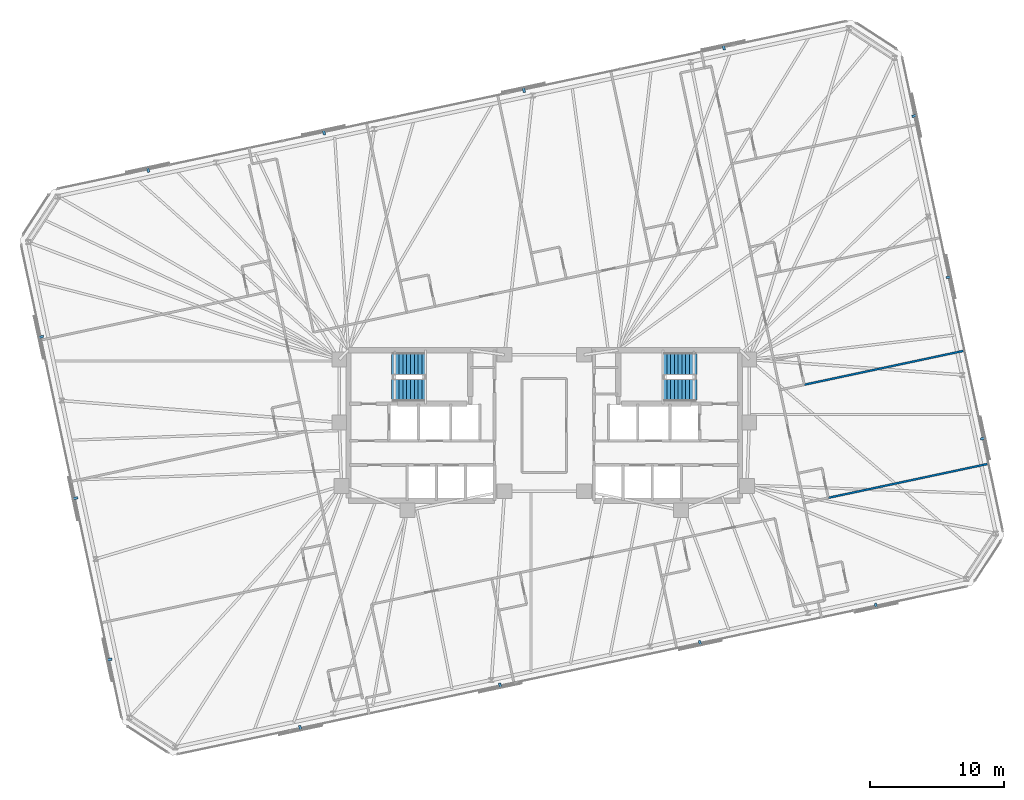
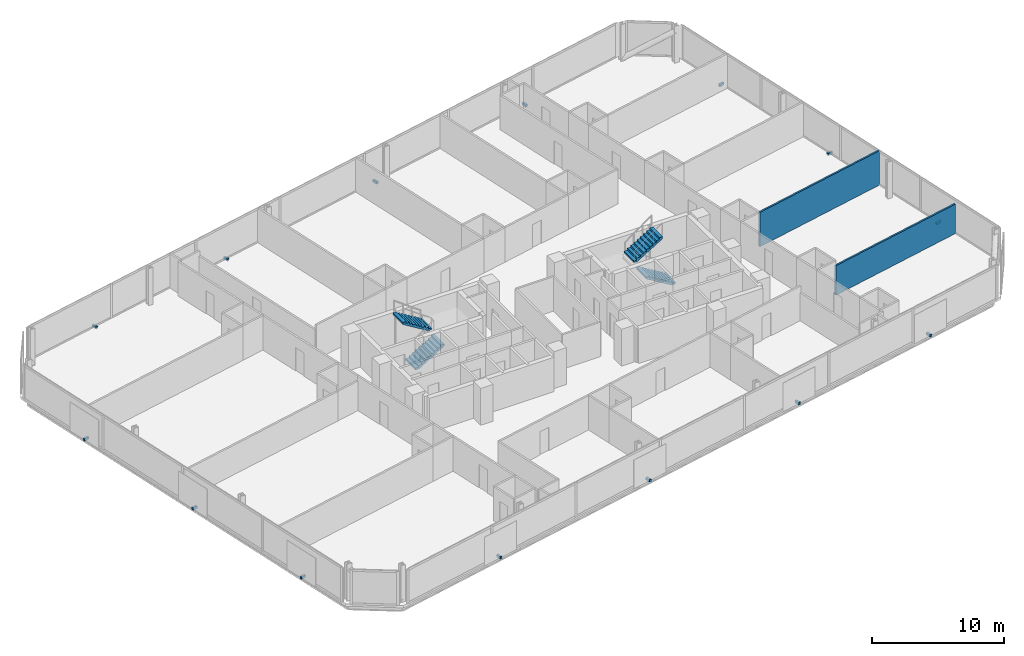
# One storey, part 18 of 19: 14 discrete accessories, 4 stair flights, 2 walls, 2 elements without a shape of their own.
"""IFC4 building model written with IfcOpenShell, lengths in metres."""

from ifc_helpers import new_model, si_unit, direction, frame, frame_2d, origin, origin_2d, place, context, subcontext, project, spatial, polyline, rectangle, outline, extrude, material, layer, layer_set, type_object, element, aggregate, save


model = new_model("IFC4")

# Units and contexts
model_context = context("Model", 3, precision=1e-05, world=origin(), true_north=direction((0.0, 1.0)))
body_context = subcontext(model_context, "Body", "Model", "MODEL_VIEW")
ifc_project = project(units=[si_unit("LENGTHUNIT", "METRE"), si_unit("AREAUNIT", "SQUARE_METRE"), si_unit("VOLUMEUNIT", "CUBIC_METRE"), si_unit("PLANEANGLEUNIT", "RADIAN"), si_unit("MASSUNIT", "GRAM", prefix="KILO")], contexts=[model_context])

# Site, building, storey
site_placement = place(None, origin())
site = spatial("IfcSite", under=ifc_project, at=site_placement, CompositionType="ELEMENT")
building_placement = place(site_placement, origin())
building = spatial("IfcBuilding", under=site, at=building_placement, Name="Menara Jurai Vektor", CompositionType="ELEMENT")
storey_placement = place(building_placement, frame((0.0, 0.0, 154.800048828125)))
storey = spatial("IfcBuildingStorey", under=building, at=storey_placement, Name="L39", CompositionType="ELEMENT", Elevation=154.800048828125)

# Walls
ifc_material_1 = material(Name="Gypsum Fireboard Partition", Category="gypsum")
ifc_layer_1 = layer(ifc_material_1, 0.14990234375)
ifc_layer_set_1 = layer_set([ifc_layer_1], Name="Gypsum Fireboard Partition")
wall_type_1 = type_object("IfcWallType", Name="INT-WALL-CORR-150", PredefinedType="PARTITIONING", material=ifc_layer_set_1)
wall_1_placement = place(storey_placement, frame((19.34130859375, 3.025146484375, 0.0), z_axis=(0.0, 0.0, 1.0), x_axis=(0.97814556055, 0.207921288896, 0.0)))
element("IfcWall", 1, at=wall_1_placement, inside=storey, type_object=wall_type_1, Name="Interior Wall IW-150 L39", PredefinedType="PARTITIONING", context=body_context, shape_type="SweptSolid", body=[
    extrude(rectangle(XDim=12.18701171875, YDim=0.14990234375, at=frame_2d((6.093505859375, 0.0))), origin(), (0.0, 0.0, 1.0), 3.175048828125),
])
ifc_layer_2 = layer(ifc_material_1, 0.14990234375)
ifc_layer_set_2 = layer_set([ifc_layer_2], Name="Gypsum Fireboard Partition")
wall_type_2 = type_object("IfcWallType", Name="INT-WALL-CORR-150-H1", PredefinedType="PARTITIONING", material=ifc_layer_set_2)
wall_2_placement = place(storey_placement, frame((21.12939453125, -5.386962890625, 0.0), z_axis=(0.0, 0.0, 1.0), x_axis=(0.97814556055, 0.207921288896, 0.0)))
element("IfcWall", 2, at=wall_2_placement, inside=storey, type_object=wall_type_2, Name="Interior Wall IW-150 L39", PredefinedType="PARTITIONING", context=body_context, shape_type="SweptSolid", body=[
    extrude(rectangle(XDim=12.18701171875, YDim=0.14990234375, at=frame_2d((6.093505859375, 0.0))), origin(), (0.0, 0.0, 1.0), 2.724853515625),
])

# Stair, stair flights
ifc_material_2 = material(Name="Concrete C40/50", Category="concrete")
stair_type = type_object("IfcStairType", Name="STAIR-DOGLEG-1500", PredefinedType="HALF_TURN_STAIR", material=ifc_material_2)
stair_1_placement = place(storey_placement, origin())
stair_1 = element("IfcStair", 3, at=stair_1_placement, inside=storey, type_object=stair_type, Name="Protected Exit Stair ST1 L39", PredefinedType="HALF_TURN_STAIR")
stair_flight_type = type_object("IfcStairFlightType", Name="STAIR-FLIGHT-1500", PredefinedType="STRAIGHT", material=ifc_material_2)
stair_flight_1_placement = place(storey_placement, frame((-11.35009765625, 2.64990234375, 0.0), z_axis=(0.0, 0.0, 1.0), x_axis=(1.0, 0.0, 0.0)))
stair_flight_1 = element("IfcStairFlight", 4, at=stair_flight_1_placement, type_object=stair_flight_type, Name="ST1 flight 1", NumberOfRisers=10, NumberOfTreads=9, PredefinedType="STRAIGHT", RiserHeight=0.17, TreadLength=0.28, context=body_context, shape_type="SweptSolid", body=[
    extrude(outline(polyline([(0.0, 0.0), (0.0, 0.169921875), (0.280029296875, 0.169921875), (0.280029296875, 0.340087890625), (0.56005859375, 0.340087890625), (0.56005859375, 0.510009765625), (0.840087890625, 0.510009765625), (0.840087890625, 0.679931640625), (1.1201171875, 0.679931640625), (1.1201171875, 0.85009765625), (1.39990234375, 0.85009765625), (1.39990234375, 1.02001953125), (1.679931640625, 1.02001953125), (1.679931640625, 1.18994140625), (1.9599609375, 1.18994140625), (1.9599609375, 1.360107421875), (2.239990234375, 1.360107421875), (2.239990234375, 1.530029296875), (2.52001953125, 1.530029296875), (2.52001953125, 1.699951171875), (2.52001953125, 1.343017578125), (0.30810546875, 0.0), (0.0, 0.0)])), frame((0.0, 0.75, 0.0), z_axis=(0.0, -1.0, 0.0), x_axis=(1.0, 0.0, 0.0)), (0.0, 0.0, 1.0), 1.5),
])
stair_flight_2_placement = place(storey_placement, frame((-8.830078125, 4.550048828125, 1.699951171875), z_axis=(0.0, 0.0, 1.0), x_axis=(-1.0, 0.0, 0.0)))
stair_flight_2 = element("IfcStairFlight", 5, at=stair_flight_2_placement, type_object=stair_flight_type, Name="ST1 flight 2", NumberOfRisers=10, NumberOfTreads=9, PredefinedType="STRAIGHT", RiserHeight=0.17, TreadLength=0.28, context=body_context, shape_type="SweptSolid", body=[
    extrude(outline(polyline([(0.0, 0.0), (0.0, 0.169921875), (0.280029296875, 0.169921875), (0.280029296875, 0.340087890625), (0.56005859375, 0.340087890625), (0.56005859375, 0.510009765625), (0.840087890625, 0.510009765625), (0.840087890625, 0.679931640625), (1.1201171875, 0.679931640625), (1.1201171875, 0.85009765625), (1.39990234375, 0.85009765625), (1.39990234375, 1.02001953125), (1.679931640625, 1.02001953125), (1.679931640625, 1.18994140625), (1.9599609375, 1.18994140625), (1.9599609375, 1.360107421875), (2.239990234375, 1.360107421875), (2.239990234375, 1.530029296875), (2.52001953125, 1.530029296875), (2.52001953125, 1.699951171875), (2.52001953125, 1.343017578125), (0.30810546875, 0.0), (0.0, 0.0)])), frame((0.0, 0.75, 0.0), z_axis=(0.0, -1.0, 0.0), x_axis=(1.0, 0.0, 0.0)), (0.0, 0.0, 1.0), 1.5),
])
aggregate(stair_1, [stair_flight_1, stair_flight_2])

stair_2_placement = place(storey_placement, origin())
stair_2 = element("IfcStair", 6, at=stair_2_placement, inside=storey, type_object=stair_type, Name="Protected Exit Stair ST2 L39", PredefinedType="HALF_TURN_STAIR")
stair_flight_3_placement = place(storey_placement, frame((11.35009765625, 2.64990234375, 0.0), z_axis=(0.0, 0.0, 1.0), x_axis=(-1.0, 0.0, 0.0)))
stair_flight_3 = element("IfcStairFlight", 7, at=stair_flight_3_placement, type_object=stair_flight_type, Name="ST2 flight 1", NumberOfRisers=10, NumberOfTreads=9, PredefinedType="STRAIGHT", RiserHeight=0.17, TreadLength=0.28, context=body_context, shape_type="SweptSolid", body=[
    extrude(outline(polyline([(0.0, 0.0), (0.0, 0.169921875), (0.280029296875, 0.169921875), (0.280029296875, 0.340087890625), (0.56005859375, 0.340087890625), (0.56005859375, 0.510009765625), (0.840087890625, 0.510009765625), (0.840087890625, 0.679931640625), (1.1201171875, 0.679931640625), (1.1201171875, 0.85009765625), (1.39990234375, 0.85009765625), (1.39990234375, 1.02001953125), (1.679931640625, 1.02001953125), (1.679931640625, 1.18994140625), (1.9599609375, 1.18994140625), (1.9599609375, 1.360107421875), (2.239990234375, 1.360107421875), (2.239990234375, 1.530029296875), (2.52001953125, 1.530029296875), (2.52001953125, 1.699951171875), (2.52001953125, 1.343017578125), (0.30810546875, 0.0), (0.0, 0.0)])), frame((0.0, 0.75, 0.0), z_axis=(0.0, -1.0, 0.0), x_axis=(1.0, 0.0, 0.0)), (0.0, 0.0, 1.0), 1.5),
])
stair_flight_4_placement = place(storey_placement, frame((8.830078125, 4.550048828125, 1.699951171875), z_axis=(0.0, 0.0, 1.0), x_axis=(1.0, 0.0, 0.0)))
stair_flight_4 = element("IfcStairFlight", 8, at=stair_flight_4_placement, type_object=stair_flight_type, Name="ST2 flight 2", NumberOfRisers=10, NumberOfTreads=9, PredefinedType="STRAIGHT", RiserHeight=0.17, TreadLength=0.28, context=body_context, shape_type="SweptSolid", body=[
    extrude(outline(polyline([(0.0, 0.0), (0.0, 0.169921875), (0.280029296875, 0.169921875), (0.280029296875, 0.340087890625), (0.56005859375, 0.340087890625), (0.56005859375, 0.510009765625), (0.840087890625, 0.510009765625), (0.840087890625, 0.679931640625), (1.1201171875, 0.679931640625), (1.1201171875, 0.85009765625), (1.39990234375, 0.85009765625), (1.39990234375, 1.02001953125), (1.679931640625, 1.02001953125), (1.679931640625, 1.18994140625), (1.9599609375, 1.18994140625), (1.9599609375, 1.360107421875), (2.239990234375, 1.360107421875), (2.239990234375, 1.530029296875), (2.52001953125, 1.530029296875), (2.52001953125, 1.699951171875), (2.52001953125, 1.343017578125), (0.30810546875, 0.0), (0.0, 0.0)])), frame((0.0, 0.75, 0.0), z_axis=(0.0, -1.0, 0.0), x_axis=(1.0, 0.0, 0.0)), (0.0, 0.0, 1.0), 1.5),
])
aggregate(stair_2, [stair_flight_3, stair_flight_4])

# Discrete accessories
ifc_material_3 = material(Name="Steel S355", Category="steel")
discrete_accessory_type = type_object("IfcDiscreteAccessoryType", Name="ENV-ACC-BRACKET", PredefinedType="BRACKET", material=ifc_material_3)
for number, where, z_axis, x_axis, name in (
    (9, (-18.148193359375, -22.537841796875, -0.1298828125), (0.0, 0.0, 1.0), (0.978147600734, 0.207911690818, 0.0), "Solar Screen Stand-Off Bracket L39-S01"),
    (10, (-3.2802734375, -19.377685546875, -0.1298828125), (0.0, 0.0, 1.0), (0.978147600734, 0.207911690818, 0.0), "Solar Screen Stand-Off Bracket L39-S02"),
    (11, (11.587646484375, -16.21728515625, -0.1298828125), (0.0, 0.0, 1.0), (0.978147600734, 0.207911690818, 0.0), "Solar Screen Stand-Off Bracket L39-S03"),
    (12, (24.67138671875, -13.436279296875, -0.1298828125), (0.0, 0.0, 1.0), (0.978147600734, 0.207911690818, 0.0), "Solar Screen Stand-Off Bracket L39-S04"),
    (13, (32.660400390625, -0.9716796875, -0.1298828125), (0.0, 0.0, 1.0), (-0.207911690818, 0.978147600734, 0.0), "Solar Screen Stand-Off Bracket L39-S05"),
    (14, (30.10986328125, 11.027099609375, -0.1298828125), (0.0, 0.0, 1.0), (-0.207911690818, 0.978147600734, 0.0), "Solar Screen Stand-Off Bracket L39-S06"),
    (15, (27.5595703125, 23.025634765625, -0.1298828125), (0.0, 0.0, 1.0), (-0.207911690818, 0.978147600734, 0.0), "Solar Screen Stand-Off Bracket L39-S07"),
    (16, (13.34814453125, 28.137939453125, -0.1298828125), (0.0, 0.0, 1.0), (-0.978147600734, -0.207911690818, 0.0), "Solar Screen Stand-Off Bracket L39-S08"),
    (17, (-1.519775390625, 24.977783203125, -0.1298828125), (0.0, 0.0, 1.0), (-0.978147600734, -0.207911690818, 0.0), "Solar Screen Stand-Off Bracket L39-S09"),
    (18, (-16.3876953125, 21.8173828125, -0.1298828125), (0.0, 0.0, 1.0), (-0.978147600734, -0.207911690818, 0.0), "Solar Screen Stand-Off Bracket L39-S10"),
    (19, (-29.47119140625, 19.036376953125, -0.1298828125), (0.0, 0.0, 1.0), (-0.978147600734, -0.207911690818, 0.0), "Solar Screen Stand-Off Bracket L39-S11"),
    (20, (-37.460205078125, 6.571533203125, -0.1298828125), (0.0, 0.0, 1.0), (0.207911690818, -0.978147600734, 0.0), "Solar Screen Stand-Off Bracket L39-S12"),
    (21, (-34.909912109375, -5.427001953125, -0.1298828125), (0.0, 0.0, 1.0), (0.207911690818, -0.978147600734, 0.0), "Solar Screen Stand-Off Bracket L39-S13"),
    (22, (-32.359619140625, -17.425537109375, -0.1298828125), (0.0, 0.0, 1.0), (0.207911690818, -0.978147600734, 0.0), "Solar Screen Stand-Off Bracket L39-S14"),
):
    element("IfcDiscreteAccessory", number, at=place(storey_placement, frame(where, z_axis=z_axis, x_axis=x_axis)), inside=storey, type_object=discrete_accessory_type, Name=name, PredefinedType="BRACKET", context=body_context, shape_type="SweptSolid", body=[
        extrude(rectangle(XDim=0.179931640625, YDim=0.43994140625, at=origin_2d()), origin(), (0.0, 0.0, 1.0), 0.219970703125),
    ])

save(model, "model.ifc")
